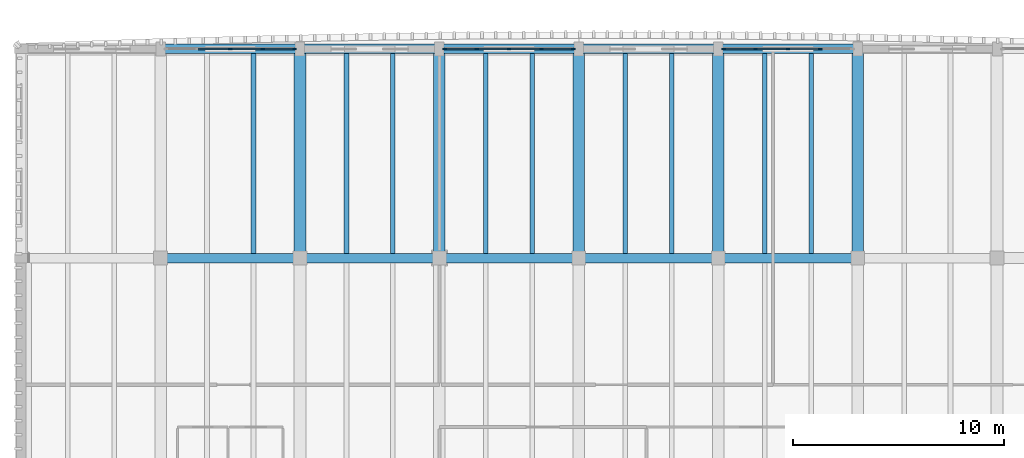
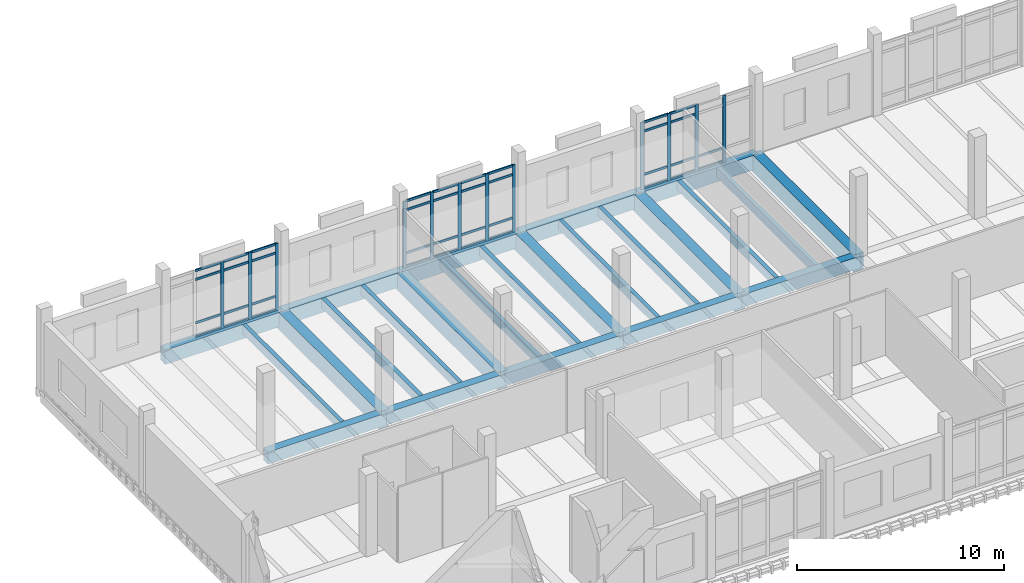
# One storey, part 11 of 39: 50 members, 24 beams, 3 elements without a shape of their own.
"""IFC4 building model written with IfcOpenShell, lengths in metres."""

from ifc_helpers import new_model, si_unit, direction, frame, origin, origin_2d, place, context, subcontext, project, spatial, rectangle, extrude, material, material_profile, profile_set, type_object, element, aggregate, save


model = new_model("IFC4")

# Units and contexts
model_context = context("Model", 3, precision=1e-05, world=origin(), true_north=direction((0.0, 1.0)))
body_context = subcontext(model_context, "Body", "Model", "MODEL_VIEW")
ifc_project = project(units=[si_unit("LENGTHUNIT", "METRE"), si_unit("AREAUNIT", "SQUARE_METRE"), si_unit("VOLUMEUNIT", "CUBIC_METRE"), si_unit("PLANEANGLEUNIT", "RADIAN"), si_unit("MASSUNIT", "GRAM", prefix="KILO")], contexts=[model_context])

# Site, building, storey
site_placement = place(None, origin())
site = spatial("IfcSite", under=ifc_project, at=site_placement, CompositionType="ELEMENT")
building_placement = place(site_placement, origin())
building = spatial("IfcBuilding", under=site, at=building_placement, Name="Dornvale Research Institute", CompositionType="ELEMENT")
storey_placement = place(building_placement, frame((0.0, 0.0, 24.60009765625)))
storey = spatial("IfcBuildingStorey", under=building, at=storey_placement, Name="L05", CompositionType="ELEMENT", Elevation=24.60009765625)

# Beams
ifc_material_1 = material(Name="Concrete f'c 45 MPa (C35/45)", Category="concrete")
ifc_material_profile_1 = material_profile(ifc_material_1, rectangle(XDim=0.449951171875, YDim=0.715087890625, at=origin_2d()), Name="RC 450x715")
ifc_profile_set_1 = profile_set([ifc_material_profile_1], Name="Concrete f'c 45 MPa (C35/45)")
beam_type_1 = type_object("IfcBeamType", Name="Beam_RC450x715_Lab", PredefinedType="BEAM", material=ifc_profile_set_1)
for number, where, z_axis, x_axis, name in (
    (1, (125.39990234375, 112.199951171875, -0.357666015625), (1.0, 0.0, 0.0), (0.0, 1.0, 0.0), "L05 primary girder #1398"),
    (2, (132.0, 112.199951171875, -0.357666015625), (1.0, 0.0, 0.0), (0.0, 1.0, 0.0), "L05 primary girder #1399"),
):
    element("IfcBeam", number, at=place(storey_placement, frame(where, z_axis=z_axis, x_axis=x_axis)), inside=storey, type_object=beam_type_1, Name=name, PredefinedType="BEAM", context=body_context, shape_type="SweptSolid", body=[
        extrude(rectangle(XDim=0.449951171875, YDim=0.715087890625, at=origin_2d()), origin(), (0.0, 0.0, 1.0), 6.60009765625),
    ])
beam_1_placement = place(storey_placement, frame((138.60009765625, 112.199951171875, -0.357666015625), z_axis=(1.0, 0.0, 0.0), x_axis=(0.0, 1.0, 0.0)))
element("IfcBeam", 3, at=beam_1_placement, inside=storey, type_object=beam_type_1, Name="L05 primary girder #1400", PredefinedType="BEAM", context=body_context, shape_type="SweptSolid", body=[
    extrude(rectangle(XDim=0.449951171875, YDim=0.715087890625, at=origin_2d()), origin(), (0.0, 0.0, 1.0), 6.599853515625),
])
beam_2_placement = place(storey_placement, frame((145.199951171875, 112.199951171875, -0.357666015625), z_axis=(1.0, 0.0, 0.0), x_axis=(0.0, 1.0, 0.0)))
element("IfcBeam", 4, at=beam_2_placement, inside=storey, type_object=beam_type_1, Name="L05 primary girder #1401", PredefinedType="BEAM", context=body_context, shape_type="SweptSolid", body=[
    extrude(rectangle(XDim=0.449951171875, YDim=0.715087890625, at=origin_2d()), origin(), (0.0, 0.0, 1.0), 6.60009765625),
])
beam_3_placement = place(storey_placement, frame((151.800048828125, 112.199951171875, -0.357666015625), z_axis=(1.0, 0.0, 0.0), x_axis=(0.0, 1.0, 0.0)))
element("IfcBeam", 5, at=beam_3_placement, inside=storey, type_object=beam_type_1, Name="L05 primary girder #1402", PredefinedType="BEAM", context=body_context, shape_type="SweptSolid", body=[
    extrude(rectangle(XDim=0.449951171875, YDim=0.715087890625, at=origin_2d()), origin(), (0.0, 0.0, 1.0), 6.599853515625),
])
ifc_material_2 = material(Name="Concrete f'c 45 MPa (C35/45)", Category="concrete")
ifc_material_profile_2 = material_profile(ifc_material_2, rectangle(XDim=0.550048828125, YDim=1.0, at=origin_2d()), Name="RC 550x1000")
ifc_profile_set_2 = profile_set([ifc_material_profile_2], Name="Concrete f'c 45 MPa (C35/45)")
beam_type_2 = type_object("IfcBeamType", Name="Beam_RC550x1000_Girder", PredefinedType="BEAM", material=ifc_profile_set_2)
for number, where, z_axis, x_axis, name in (
    (6, (132.0, 112.199951171875, -0.5), (0.0, 1.0, 0.0), (-1.0, 0.0, 0.0), "L05 transverse girder #1420"),
    (7, (138.60009765625, 112.199951171875, -0.5), (0.0, 1.0, 0.0), (-1.0, 0.0, 0.0), "L05 transverse girder #1423"),
    (8, (145.199951171875, 112.199951171875, -0.5), (0.0, 1.0, 0.0), (-1.0, 0.0, 0.0), "L05 transverse girder #1426"),
    (9, (151.800048828125, 112.199951171875, -0.5), (0.0, 1.0, 0.0), (-1.0, 0.0, 0.0), "L05 transverse girder #1429"),
    (10, (158.39990234375, 112.199951171875, -0.5), (0.0, 1.0, 0.0), (-1.0, 0.0, 0.0), "L05 transverse girder #1431"),
):
    element("IfcBeam", number, at=place(storey_placement, frame(where, z_axis=z_axis, x_axis=x_axis)), inside=storey, type_object=beam_type_2, Name=name, PredefinedType="BEAM", context=body_context, shape_type="SweptSolid", body=[
        extrude(rectangle(XDim=0.550048828125, YDim=1.0, at=origin_2d()), origin(), (0.0, 0.0, 1.0), 9.900146484375),
    ])
ifc_material_3 = material(Name="Concrete f'c 45 MPa (C35/45)", Category="concrete")
ifc_material_profile_3 = material_profile(ifc_material_3, rectangle(XDim=0.219970703125, YDim=0.534912109375, at=origin_2d()), Name="RC 220x535")
ifc_profile_set_3 = profile_set([ifc_material_profile_3], Name="Concrete f'c 45 MPa (C35/45)")
beam_type_3 = type_object("IfcBeamType", Name="Joist_RC220x535_Waffle", PredefinedType="JOIST", material=ifc_profile_set_3)
for number, where, z_axis, x_axis, name in (
    (11, (129.800048828125, 112.425048828125, -0.267578125), (0.0, 1.0, 0.0), (-1.0, 0.0, 0.0), "L05 laboratory waffle joist #665"),
    (12, (134.199951171875, 112.425048828125, -0.267578125), (0.0, 1.0, 0.0), (-1.0, 0.0, 0.0), "L05 laboratory waffle joist #668"),
    (13, (136.39990234375, 112.425048828125, -0.267578125), (0.0, 1.0, 0.0), (-1.0, 0.0, 0.0), "L05 laboratory waffle joist #669"),
    (14, (140.800048828125, 112.425048828125, -0.267578125), (0.0, 1.0, 0.0), (-1.0, 0.0, 0.0), "L05 laboratory waffle joist #674"),
    (15, (143.0, 112.425048828125, -0.267578125), (0.0, 1.0, 0.0), (-1.0, 0.0, 0.0), "L05 laboratory waffle joist #675"),
    (16, (147.39990234375, 112.425048828125, -0.267578125), (0.0, 1.0, 0.0), (-1.0, 0.0, 0.0), "L05 laboratory waffle joist #680"),
    (17, (149.60009765625, 112.425048828125, -0.267578125), (0.0, 1.0, 0.0), (-1.0, 0.0, 0.0), "L05 laboratory waffle joist #681"),
    (18, (154.0, 112.425048828125, -0.267578125), (0.0, 1.0, 0.0), (-1.0, 0.0, 0.0), "L05 laboratory waffle joist #684"),
    (19, (156.199951171875, 112.425048828125, -0.267578125), (0.0, 1.0, 0.0), (-1.0, 0.0, 0.0), "L05 laboratory waffle joist #685"),
):
    element("IfcBeam", number, at=place(storey_placement, frame(where, z_axis=z_axis, x_axis=x_axis)), inside=storey, type_object=beam_type_3, Name=name, PredefinedType="JOIST", context=body_context, shape_type="SweptSolid", body=[
        extrude(rectangle(XDim=0.219970703125, YDim=0.534912109375, at=origin_2d()), origin(), (0.0, 0.0, 1.0), 9.449951171875),
    ])

# Curtain wall, members
ifc_material_4 = material(Name="Low-E Argon Double Insulating Glazing Unit", Category="glass")
curtain_wall_type = type_object("IfcCurtainWallType", Name="UnitisedCurtainWall_V4_6150x3950", PredefinedType="USERDEFINED", material=ifc_material_4)
curtain_wall_1_placement = place(storey_placement, origin())
curtain_wall_1 = element("IfcCurtainWall", 20, at=curtain_wall_1_placement, inside=storey, type_object=curtain_wall_type, Name="L05 V4 unitised curtain wall CW-15 #109", ObjectType="UNITISED CURTAIN WALL", PredefinedType="USERDEFINED")
ifc_material_5 = material(Name="Anodized Aluminum AA 6063-T6 Thermally Broken Frame", Category="aluminium")
ifc_material_profile_4 = material_profile(ifc_material_5, rectangle(XDim=0.06494140625, YDim=0.179931640625, at=origin_2d()), Name="ALU MULLION 65x180")
ifc_profile_set_4 = profile_set([ifc_material_profile_4], Name="Anodized Aluminum AA 6063-T6 Thermally Broken Frame")
member_type_1 = type_object("IfcMemberType", Name="Mullion_CW_65x180", PredefinedType="MULLION", material=ifc_profile_set_4)
member_1_placement = place(storey_placement, frame((128.699951171875, 122.10009765625, 0.0), z_axis=(0.0, 0.0, 1.0), x_axis=(0.0, 1.0, 0.0)))
member_1 = element("IfcMember", 21, at=member_1_placement, type_object=member_type_1, Name="CW-15 mullion 3", PredefinedType="MULLION", context=body_context, shape_type="SweptSolid", body=[
    extrude(rectangle(XDim=0.06494140625, YDim=0.179931640625, at=origin_2d()), origin(), (0.0, 0.0, 1.0), 3.949951171875),
])
member_2_placement = place(storey_placement, frame((130.237548828125, 122.10009765625, 0.0), z_axis=(0.0, 0.0, 1.0), x_axis=(0.0, 1.0, 0.0)))
member_2 = element("IfcMember", 22, at=member_2_placement, type_object=member_type_1, Name="CW-15 mullion 4", PredefinedType="MULLION", context=body_context, shape_type="SweptSolid", body=[
    extrude(rectangle(XDim=0.06494140625, YDim=0.179931640625, at=origin_2d()), origin(), (0.0, 0.0, 1.0), 3.949951171875),
])
member_3_placement = place(storey_placement, frame((131.742431640625, 122.10009765625, 0.0), z_axis=(0.0, 0.0, 1.0), x_axis=(0.0, 1.0, 0.0)))
member_3 = element("IfcMember", 23, at=member_3_placement, type_object=member_type_1, Name="CW-15 mullion 5", PredefinedType="MULLION", context=body_context, shape_type="SweptSolid", body=[
    extrude(rectangle(XDim=0.06494140625, YDim=0.179931640625, at=origin_2d()), origin(), (0.0, 0.0, 1.0), 3.949951171875),
])

curtain_wall_2_placement = place(storey_placement, origin())
curtain_wall_2 = element("IfcCurtainWall", 24, at=curtain_wall_2_placement, inside=storey, type_object=curtain_wall_type, Name="L05 V4 unitised curtain wall CW-15 #110", ObjectType="UNITISED CURTAIN WALL", PredefinedType="USERDEFINED")
member_4_placement = place(storey_placement, frame((138.857421875, 122.10009765625, 0.0), z_axis=(0.0, 0.0, 1.0), x_axis=(0.0, 1.0, 0.0)))
member_4 = element("IfcMember", 25, at=member_4_placement, type_object=member_type_1, Name="CW-15 mullion 1", PredefinedType="MULLION", context=body_context, shape_type="SweptSolid", body=[
    extrude(rectangle(XDim=0.06494140625, YDim=0.179931640625, at=origin_2d()), origin(), (0.0, 0.0, 1.0), 3.949951171875),
])
member_5_placement = place(storey_placement, frame((140.362548828125, 122.10009765625, 0.0), z_axis=(0.0, 0.0, 1.0), x_axis=(0.0, 1.0, 0.0)))
member_5 = element("IfcMember", 26, at=member_5_placement, type_object=member_type_1, Name="CW-15 mullion 2", PredefinedType="MULLION", context=body_context, shape_type="SweptSolid", body=[
    extrude(rectangle(XDim=0.06494140625, YDim=0.179931640625, at=origin_2d()), origin(), (0.0, 0.0, 1.0), 3.949951171875),
])
member_6_placement = place(storey_placement, frame((141.89990234375, 122.10009765625, 0.0), z_axis=(0.0, 0.0, 1.0), x_axis=(0.0, 1.0, 0.0)))
member_6 = element("IfcMember", 27, at=member_6_placement, type_object=member_type_1, Name="CW-15 mullion 3", PredefinedType="MULLION", context=body_context, shape_type="SweptSolid", body=[
    extrude(rectangle(XDim=0.06494140625, YDim=0.179931640625, at=origin_2d()), origin(), (0.0, 0.0, 1.0), 3.949951171875),
])
member_7_placement = place(storey_placement, frame((143.4375, 122.10009765625, 0.0), z_axis=(0.0, 0.0, 1.0), x_axis=(0.0, 1.0, 0.0)))
member_7 = element("IfcMember", 28, at=member_7_placement, type_object=member_type_1, Name="CW-15 mullion 4", PredefinedType="MULLION", context=body_context, shape_type="SweptSolid", body=[
    extrude(rectangle(XDim=0.06494140625, YDim=0.179931640625, at=origin_2d()), origin(), (0.0, 0.0, 1.0), 3.949951171875),
])
member_8_placement = place(storey_placement, frame((144.9423828125, 122.10009765625, 0.0), z_axis=(0.0, 0.0, 1.0), x_axis=(0.0, 1.0, 0.0)))
member_8 = element("IfcMember", 29, at=member_8_placement, type_object=member_type_1, Name="CW-15 mullion 5", PredefinedType="MULLION", context=body_context, shape_type="SweptSolid", body=[
    extrude(rectangle(XDim=0.06494140625, YDim=0.179931640625, at=origin_2d()), origin(), (0.0, 0.0, 1.0), 3.949951171875),
])

curtain_wall_3_placement = place(storey_placement, origin())
curtain_wall_3 = element("IfcCurtainWall", 30, at=curtain_wall_3_placement, inside=storey, type_object=curtain_wall_type, Name="L05 V4 unitised curtain wall CW-15 #111", ObjectType="UNITISED CURTAIN WALL", PredefinedType="USERDEFINED")
member_9_placement = place(storey_placement, frame((152.0576171875, 122.10009765625, 0.0), z_axis=(0.0, 0.0, 1.0), x_axis=(0.0, 1.0, 0.0)))
member_9 = element("IfcMember", 31, at=member_9_placement, type_object=member_type_1, Name="CW-15 mullion 1", PredefinedType="MULLION", context=body_context, shape_type="SweptSolid", body=[
    extrude(rectangle(XDim=0.06494140625, YDim=0.179931640625, at=origin_2d()), origin(), (0.0, 0.0, 1.0), 3.949951171875),
])
member_10_placement = place(storey_placement, frame((153.5625, 122.10009765625, 0.0), z_axis=(0.0, 0.0, 1.0), x_axis=(0.0, 1.0, 0.0)))
member_10 = element("IfcMember", 32, at=member_10_placement, type_object=member_type_1, Name="CW-15 mullion 2", PredefinedType="MULLION", context=body_context, shape_type="SweptSolid", body=[
    extrude(rectangle(XDim=0.06494140625, YDim=0.179931640625, at=origin_2d()), origin(), (0.0, 0.0, 1.0), 3.949951171875),
])
member_11_placement = place(storey_placement, frame((155.10009765625, 122.10009765625, 0.0), z_axis=(0.0, 0.0, 1.0), x_axis=(0.0, 1.0, 0.0)))
member_11 = element("IfcMember", 33, at=member_11_placement, type_object=member_type_1, Name="CW-15 mullion 3", PredefinedType="MULLION", context=body_context, shape_type="SweptSolid", body=[
    extrude(rectangle(XDim=0.06494140625, YDim=0.179931640625, at=origin_2d()), origin(), (0.0, 0.0, 1.0), 3.949951171875),
])
member_12_placement = place(storey_placement, frame((156.637451171875, 122.10009765625, 0.0), z_axis=(0.0, 0.0, 1.0), x_axis=(0.0, 1.0, 0.0)))
member_12 = element("IfcMember", 34, at=member_12_placement, type_object=member_type_1, Name="CW-15 mullion 4", PredefinedType="MULLION", context=body_context, shape_type="SweptSolid", body=[
    extrude(rectangle(XDim=0.06494140625, YDim=0.179931640625, at=origin_2d()), origin(), (0.0, 0.0, 1.0), 3.949951171875),
])

# Beams
ifc_material_6 = material(Name="Concrete f'c 45 MPa (C35/45)", Category="concrete")
ifc_material_profile_5 = material_profile(ifc_material_6, rectangle(XDim=0.449951171875, YDim=0.85009765625, at=origin_2d()), Name="RC 450x850")
ifc_profile_set_5 = profile_set([ifc_material_profile_5], Name="Concrete f'c 45 MPa (C35/45)")
beam_type_4 = type_object("IfcBeamType", Name="Spandrel_RC450x850_Ext", PredefinedType="SPANDREL", material=ifc_profile_set_5)
for number, where, z_axis, x_axis, name in (
    (35, (125.39990234375, 122.10009765625, -0.425048828125), (1.0, 0.0, 0.0), (0.0, 1.0, 0.0), "L05 perimeter spandrel #1406"),
    (36, (132.0, 122.10009765625, -0.425048828125), (1.0, 0.0, 0.0), (0.0, 1.0, 0.0), "L05 perimeter spandrel #1407"),
):
    element("IfcBeam", number, at=place(storey_placement, frame(where, z_axis=z_axis, x_axis=x_axis)), inside=storey, type_object=beam_type_4, Name=name, PredefinedType="SPANDREL", context=body_context, shape_type="SweptSolid", body=[
        extrude(rectangle(XDim=0.449951171875, YDim=0.85009765625, at=origin_2d()), origin(), (0.0, 0.0, 1.0), 6.60009765625),
    ])
beam_4_placement = place(storey_placement, frame((138.60009765625, 122.10009765625, -0.425048828125), z_axis=(1.0, 0.0, 0.0), x_axis=(0.0, 1.0, 0.0)))
element("IfcBeam", 37, at=beam_4_placement, inside=storey, type_object=beam_type_4, Name="L05 perimeter spandrel #1408", PredefinedType="SPANDREL", context=body_context, shape_type="SweptSolid", body=[
    extrude(rectangle(XDim=0.449951171875, YDim=0.85009765625, at=origin_2d()), origin(), (0.0, 0.0, 1.0), 6.599853515625),
])
beam_5_placement = place(storey_placement, frame((145.199951171875, 122.10009765625, -0.425048828125), z_axis=(1.0, 0.0, 0.0), x_axis=(0.0, 1.0, 0.0)))
element("IfcBeam", 38, at=beam_5_placement, inside=storey, type_object=beam_type_4, Name="L05 perimeter spandrel #1409", PredefinedType="SPANDREL", context=body_context, shape_type="SweptSolid", body=[
    extrude(rectangle(XDim=0.449951171875, YDim=0.85009765625, at=origin_2d()), origin(), (0.0, 0.0, 1.0), 6.60009765625),
])
beam_6_placement = place(storey_placement, frame((151.800048828125, 122.10009765625, -0.425048828125), z_axis=(1.0, 0.0, 0.0), x_axis=(0.0, 1.0, 0.0)))
element("IfcBeam", 39, at=beam_6_placement, inside=storey, type_object=beam_type_4, Name="L05 perimeter spandrel #1410", PredefinedType="SPANDREL", context=body_context, shape_type="SweptSolid", body=[
    extrude(rectangle(XDim=0.449951171875, YDim=0.85009765625, at=origin_2d()), origin(), (0.0, 0.0, 1.0), 6.599853515625),
])

# Member
ifc_material_7 = material(Name="Anodized Aluminum AA 6063-T6 Thermally Broken Frame", Category="aluminium")
ifc_material_profile_6 = material_profile(ifc_material_7, rectangle(XDim=0.06494140625, YDim=0.135009765625, at=origin_2d()), Name="ALU TRANSOM 65x135")
ifc_profile_set_6 = profile_set([ifc_material_profile_6], Name="Anodized Aluminum AA 6063-T6 Thermally Broken Frame")
member_type_2 = type_object("IfcMemberType", Name="Transom_CW_65x135", PredefinedType="USERDEFINED", material=ifc_profile_set_6)
member_13_placement = place(storey_placement, frame((127.195068359375, 122.10009765625, 0.032470703125), z_axis=(1.0, 0.0, 0.0), x_axis=(0.0, 1.0, 0.0)))
member_13 = element("IfcMember", 40, at=member_13_placement, type_object=member_type_2, Name="CW-15 transom 2.1", ObjectType="TRANSOM", PredefinedType="USERDEFINED", context=body_context, shape_type="SweptSolid", body=[
    extrude(rectangle(XDim=0.06494140625, YDim=0.135009765625, at=origin_2d()), origin(), (0.0, 0.0, 1.0), 1.472412109375),
])

member_14_placement = place(storey_placement, frame((127.195068359375, 122.10009765625, 0.849853515625), z_axis=(1.0, 0.0, 0.0), x_axis=(0.0, 1.0, 0.0)))
member_14 = element("IfcMember", 41, at=member_14_placement, type_object=member_type_2, Name="CW-15 transom 2.2", ObjectType="TRANSOM", PredefinedType="USERDEFINED", context=body_context, shape_type="SweptSolid", body=[
    extrude(rectangle(XDim=0.06494140625, YDim=0.135009765625, at=origin_2d()), origin(), (0.0, 0.0, 1.0), 1.472412109375),
])

member_15_placement = place(storey_placement, frame((127.195068359375, 122.10009765625, 3.39990234375), z_axis=(1.0, 0.0, 0.0), x_axis=(0.0, 1.0, 0.0)))
member_15 = element("IfcMember", 42, at=member_15_placement, type_object=member_type_2, Name="CW-15 transom 2.3", ObjectType="TRANSOM", PredefinedType="USERDEFINED", context=body_context, shape_type="SweptSolid", body=[
    extrude(rectangle(XDim=0.06494140625, YDim=0.135009765625, at=origin_2d()), origin(), (0.0, 0.0, 1.0), 1.472412109375),
])

member_16_placement = place(storey_placement, frame((127.195068359375, 122.10009765625, 3.91748046875), z_axis=(1.0, 0.0, 0.0), x_axis=(0.0, 1.0, 0.0)))
member_16 = element("IfcMember", 43, at=member_16_placement, type_object=member_type_2, Name="CW-15 transom 2.4", ObjectType="TRANSOM", PredefinedType="USERDEFINED", context=body_context, shape_type="SweptSolid", body=[
    extrude(rectangle(XDim=0.06494140625, YDim=0.135009765625, at=origin_2d()), origin(), (0.0, 0.0, 1.0), 1.472412109375),
])

member_17_placement = place(storey_placement, frame((128.732421875, 122.10009765625, 0.032470703125), z_axis=(1.0, 0.0, 0.0), x_axis=(0.0, 1.0, 0.0)))
member_17 = element("IfcMember", 44, at=member_17_placement, type_object=member_type_2, Name="CW-15 transom 3.1", ObjectType="TRANSOM", PredefinedType="USERDEFINED", context=body_context, shape_type="SweptSolid", body=[
    extrude(rectangle(XDim=0.06494140625, YDim=0.135009765625, at=origin_2d()), origin(), (0.0, 0.0, 1.0), 1.47265625),
])

member_18_placement = place(storey_placement, frame((128.732421875, 122.10009765625, 0.849853515625), z_axis=(1.0, 0.0, 0.0), x_axis=(0.0, 1.0, 0.0)))
member_18 = element("IfcMember", 45, at=member_18_placement, type_object=member_type_2, Name="CW-15 transom 3.2", ObjectType="TRANSOM", PredefinedType="USERDEFINED", context=body_context, shape_type="SweptSolid", body=[
    extrude(rectangle(XDim=0.06494140625, YDim=0.135009765625, at=origin_2d()), origin(), (0.0, 0.0, 1.0), 1.47265625),
])

member_19_placement = place(storey_placement, frame((128.732421875, 122.10009765625, 3.39990234375), z_axis=(1.0, 0.0, 0.0), x_axis=(0.0, 1.0, 0.0)))
member_19 = element("IfcMember", 46, at=member_19_placement, type_object=member_type_2, Name="CW-15 transom 3.3", ObjectType="TRANSOM", PredefinedType="USERDEFINED", context=body_context, shape_type="SweptSolid", body=[
    extrude(rectangle(XDim=0.06494140625, YDim=0.135009765625, at=origin_2d()), origin(), (0.0, 0.0, 1.0), 1.47265625),
])

member_20_placement = place(storey_placement, frame((128.732421875, 122.10009765625, 3.91748046875), z_axis=(1.0, 0.0, 0.0), x_axis=(0.0, 1.0, 0.0)))
member_20 = element("IfcMember", 47, at=member_20_placement, type_object=member_type_2, Name="CW-15 transom 3.4", ObjectType="TRANSOM", PredefinedType="USERDEFINED", context=body_context, shape_type="SweptSolid", body=[
    extrude(rectangle(XDim=0.06494140625, YDim=0.135009765625, at=origin_2d()), origin(), (0.0, 0.0, 1.0), 1.47265625),
])

member_21_placement = place(storey_placement, frame((130.27001953125, 122.10009765625, 0.032470703125), z_axis=(1.0, 0.0, 0.0), x_axis=(0.0, 1.0, 0.0)))
member_21 = element("IfcMember", 48, at=member_21_placement, type_object=member_type_2, Name="CW-15 transom 4.1", ObjectType="TRANSOM", PredefinedType="USERDEFINED", context=body_context, shape_type="SweptSolid", body=[
    extrude(rectangle(XDim=0.06494140625, YDim=0.135009765625, at=origin_2d()), origin(), (0.0, 0.0, 1.0), 1.43994140625),
])

member_22_placement = place(storey_placement, frame((130.27001953125, 122.10009765625, 0.849853515625), z_axis=(1.0, 0.0, 0.0), x_axis=(0.0, 1.0, 0.0)))
member_22 = element("IfcMember", 49, at=member_22_placement, type_object=member_type_2, Name="CW-15 transom 4.2", ObjectType="TRANSOM", PredefinedType="USERDEFINED", context=body_context, shape_type="SweptSolid", body=[
    extrude(rectangle(XDim=0.06494140625, YDim=0.135009765625, at=origin_2d()), origin(), (0.0, 0.0, 1.0), 1.43994140625),
])

member_23_placement = place(storey_placement, frame((130.27001953125, 122.10009765625, 3.39990234375), z_axis=(1.0, 0.0, 0.0), x_axis=(0.0, 1.0, 0.0)))
member_23 = element("IfcMember", 50, at=member_23_placement, type_object=member_type_2, Name="CW-15 transom 4.3", ObjectType="TRANSOM", PredefinedType="USERDEFINED", context=body_context, shape_type="SweptSolid", body=[
    extrude(rectangle(XDim=0.06494140625, YDim=0.135009765625, at=origin_2d()), origin(), (0.0, 0.0, 1.0), 1.43994140625),
])

member_24_placement = place(storey_placement, frame((130.27001953125, 122.10009765625, 3.91748046875), z_axis=(1.0, 0.0, 0.0), x_axis=(0.0, 1.0, 0.0)))
member_24 = element("IfcMember", 51, at=member_24_placement, type_object=member_type_2, Name="CW-15 transom 4.4", ObjectType="TRANSOM", PredefinedType="USERDEFINED", context=body_context, shape_type="SweptSolid", body=[
    extrude(rectangle(XDim=0.06494140625, YDim=0.135009765625, at=origin_2d()), origin(), (0.0, 0.0, 1.0), 1.43994140625),
])

aggregate(curtain_wall_1, [member_1, member_2, member_3, member_13, member_14, member_15, member_16, member_17, member_18, member_19, member_20, member_21, member_22, member_23, member_24])

member_25_placement = place(storey_placement, frame((138.889892578125, 122.10009765625, 0.032470703125), z_axis=(1.0, 0.0, 0.0), x_axis=(0.0, 1.0, 0.0)))
member_25 = element("IfcMember", 52, at=member_25_placement, type_object=member_type_2, Name="CW-15 transom 1.1", ObjectType="TRANSOM", PredefinedType="USERDEFINED", context=body_context, shape_type="SweptSolid", body=[
    extrude(rectangle(XDim=0.06494140625, YDim=0.135009765625, at=origin_2d()), origin(), (0.0, 0.0, 1.0), 1.440185546875),
])

member_26_placement = place(storey_placement, frame((138.889892578125, 122.10009765625, 0.849853515625), z_axis=(1.0, 0.0, 0.0), x_axis=(0.0, 1.0, 0.0)))
member_26 = element("IfcMember", 53, at=member_26_placement, type_object=member_type_2, Name="CW-15 transom 1.2", ObjectType="TRANSOM", PredefinedType="USERDEFINED", context=body_context, shape_type="SweptSolid", body=[
    extrude(rectangle(XDim=0.06494140625, YDim=0.135009765625, at=origin_2d()), origin(), (0.0, 0.0, 1.0), 1.440185546875),
])

member_27_placement = place(storey_placement, frame((138.889892578125, 122.10009765625, 3.39990234375), z_axis=(1.0, 0.0, 0.0), x_axis=(0.0, 1.0, 0.0)))
member_27 = element("IfcMember", 54, at=member_27_placement, type_object=member_type_2, Name="CW-15 transom 1.3", ObjectType="TRANSOM", PredefinedType="USERDEFINED", context=body_context, shape_type="SweptSolid", body=[
    extrude(rectangle(XDim=0.06494140625, YDim=0.135009765625, at=origin_2d()), origin(), (0.0, 0.0, 1.0), 1.440185546875),
])

member_28_placement = place(storey_placement, frame((138.889892578125, 122.10009765625, 3.91748046875), z_axis=(1.0, 0.0, 0.0), x_axis=(0.0, 1.0, 0.0)))
member_28 = element("IfcMember", 55, at=member_28_placement, type_object=member_type_2, Name="CW-15 transom 1.4", ObjectType="TRANSOM", PredefinedType="USERDEFINED", context=body_context, shape_type="SweptSolid", body=[
    extrude(rectangle(XDim=0.06494140625, YDim=0.135009765625, at=origin_2d()), origin(), (0.0, 0.0, 1.0), 1.440185546875),
])

member_29_placement = place(storey_placement, frame((140.39501953125, 122.10009765625, 0.032470703125), z_axis=(1.0, 0.0, 0.0), x_axis=(0.0, 1.0, 0.0)))
member_29 = element("IfcMember", 56, at=member_29_placement, type_object=member_type_2, Name="CW-15 transom 2.1", ObjectType="TRANSOM", PredefinedType="USERDEFINED", context=body_context, shape_type="SweptSolid", body=[
    extrude(rectangle(XDim=0.06494140625, YDim=0.135009765625, at=origin_2d()), origin(), (0.0, 0.0, 1.0), 1.472412109375),
])

member_30_placement = place(storey_placement, frame((140.39501953125, 122.10009765625, 0.849853515625), z_axis=(1.0, 0.0, 0.0), x_axis=(0.0, 1.0, 0.0)))
member_30 = element("IfcMember", 57, at=member_30_placement, type_object=member_type_2, Name="CW-15 transom 2.2", ObjectType="TRANSOM", PredefinedType="USERDEFINED", context=body_context, shape_type="SweptSolid", body=[
    extrude(rectangle(XDim=0.06494140625, YDim=0.135009765625, at=origin_2d()), origin(), (0.0, 0.0, 1.0), 1.472412109375),
])

member_31_placement = place(storey_placement, frame((140.39501953125, 122.10009765625, 3.39990234375), z_axis=(1.0, 0.0, 0.0), x_axis=(0.0, 1.0, 0.0)))
member_31 = element("IfcMember", 58, at=member_31_placement, type_object=member_type_2, Name="CW-15 transom 2.3", ObjectType="TRANSOM", PredefinedType="USERDEFINED", context=body_context, shape_type="SweptSolid", body=[
    extrude(rectangle(XDim=0.06494140625, YDim=0.135009765625, at=origin_2d()), origin(), (0.0, 0.0, 1.0), 1.472412109375),
])

member_32_placement = place(storey_placement, frame((140.39501953125, 122.10009765625, 3.91748046875), z_axis=(1.0, 0.0, 0.0), x_axis=(0.0, 1.0, 0.0)))
member_32 = element("IfcMember", 59, at=member_32_placement, type_object=member_type_2, Name="CW-15 transom 2.4", ObjectType="TRANSOM", PredefinedType="USERDEFINED", context=body_context, shape_type="SweptSolid", body=[
    extrude(rectangle(XDim=0.06494140625, YDim=0.135009765625, at=origin_2d()), origin(), (0.0, 0.0, 1.0), 1.472412109375),
])

member_33_placement = place(storey_placement, frame((141.9326171875, 122.10009765625, 0.032470703125), z_axis=(1.0, 0.0, 0.0), x_axis=(0.0, 1.0, 0.0)))
member_33 = element("IfcMember", 60, at=member_33_placement, type_object=member_type_2, Name="CW-15 transom 3.1", ObjectType="TRANSOM", PredefinedType="USERDEFINED", context=body_context, shape_type="SweptSolid", body=[
    extrude(rectangle(XDim=0.06494140625, YDim=0.135009765625, at=origin_2d()), origin(), (0.0, 0.0, 1.0), 1.472412109375),
])

member_34_placement = place(storey_placement, frame((141.9326171875, 122.10009765625, 0.849853515625), z_axis=(1.0, 0.0, 0.0), x_axis=(0.0, 1.0, 0.0)))
member_34 = element("IfcMember", 61, at=member_34_placement, type_object=member_type_2, Name="CW-15 transom 3.2", ObjectType="TRANSOM", PredefinedType="USERDEFINED", context=body_context, shape_type="SweptSolid", body=[
    extrude(rectangle(XDim=0.06494140625, YDim=0.135009765625, at=origin_2d()), origin(), (0.0, 0.0, 1.0), 1.472412109375),
])

member_35_placement = place(storey_placement, frame((141.9326171875, 122.10009765625, 3.39990234375), z_axis=(1.0, 0.0, 0.0), x_axis=(0.0, 1.0, 0.0)))
member_35 = element("IfcMember", 62, at=member_35_placement, type_object=member_type_2, Name="CW-15 transom 3.3", ObjectType="TRANSOM", PredefinedType="USERDEFINED", context=body_context, shape_type="SweptSolid", body=[
    extrude(rectangle(XDim=0.06494140625, YDim=0.135009765625, at=origin_2d()), origin(), (0.0, 0.0, 1.0), 1.472412109375),
])

member_36_placement = place(storey_placement, frame((141.9326171875, 122.10009765625, 3.91748046875), z_axis=(1.0, 0.0, 0.0), x_axis=(0.0, 1.0, 0.0)))
member_36 = element("IfcMember", 63, at=member_36_placement, type_object=member_type_2, Name="CW-15 transom 3.4", ObjectType="TRANSOM", PredefinedType="USERDEFINED", context=body_context, shape_type="SweptSolid", body=[
    extrude(rectangle(XDim=0.06494140625, YDim=0.135009765625, at=origin_2d()), origin(), (0.0, 0.0, 1.0), 1.472412109375),
])

member_37_placement = place(storey_placement, frame((143.469970703125, 122.10009765625, 0.032470703125), z_axis=(1.0, 0.0, 0.0), x_axis=(0.0, 1.0, 0.0)))
member_37 = element("IfcMember", 64, at=member_37_placement, type_object=member_type_2, Name="CW-15 transom 4.1", ObjectType="TRANSOM", PredefinedType="USERDEFINED", context=body_context, shape_type="SweptSolid", body=[
    extrude(rectangle(XDim=0.06494140625, YDim=0.135009765625, at=origin_2d()), origin(), (0.0, 0.0, 1.0), 1.43994140625),
])

member_38_placement = place(storey_placement, frame((143.469970703125, 122.10009765625, 0.849853515625), z_axis=(1.0, 0.0, 0.0), x_axis=(0.0, 1.0, 0.0)))
member_38 = element("IfcMember", 65, at=member_38_placement, type_object=member_type_2, Name="CW-15 transom 4.2", ObjectType="TRANSOM", PredefinedType="USERDEFINED", context=body_context, shape_type="SweptSolid", body=[
    extrude(rectangle(XDim=0.06494140625, YDim=0.135009765625, at=origin_2d()), origin(), (0.0, 0.0, 1.0), 1.43994140625),
])

member_39_placement = place(storey_placement, frame((143.469970703125, 122.10009765625, 3.39990234375), z_axis=(1.0, 0.0, 0.0), x_axis=(0.0, 1.0, 0.0)))
member_39 = element("IfcMember", 66, at=member_39_placement, type_object=member_type_2, Name="CW-15 transom 4.3", ObjectType="TRANSOM", PredefinedType="USERDEFINED", context=body_context, shape_type="SweptSolid", body=[
    extrude(rectangle(XDim=0.06494140625, YDim=0.135009765625, at=origin_2d()), origin(), (0.0, 0.0, 1.0), 1.43994140625),
])

member_40_placement = place(storey_placement, frame((143.469970703125, 122.10009765625, 3.91748046875), z_axis=(1.0, 0.0, 0.0), x_axis=(0.0, 1.0, 0.0)))
member_40 = element("IfcMember", 67, at=member_40_placement, type_object=member_type_2, Name="CW-15 transom 4.4", ObjectType="TRANSOM", PredefinedType="USERDEFINED", context=body_context, shape_type="SweptSolid", body=[
    extrude(rectangle(XDim=0.06494140625, YDim=0.135009765625, at=origin_2d()), origin(), (0.0, 0.0, 1.0), 1.43994140625),
])

aggregate(curtain_wall_2, [member_4, member_5, member_6, member_7, member_8, member_25, member_26, member_27, member_28, member_29, member_30, member_31, member_32, member_33, member_34, member_35, member_36, member_37, member_38, member_39, member_40])

member_41_placement = place(storey_placement, frame((152.090087890625, 122.10009765625, 0.032470703125), z_axis=(1.0, 0.0, 0.0), x_axis=(0.0, 1.0, 0.0)))
member_41 = element("IfcMember", 68, at=member_41_placement, type_object=member_type_2, Name="CW-15 transom 1.1", ObjectType="TRANSOM", PredefinedType="USERDEFINED", context=body_context, shape_type="SweptSolid", body=[
    extrude(rectangle(XDim=0.06494140625, YDim=0.135009765625, at=origin_2d()), origin(), (0.0, 0.0, 1.0), 1.43994140625),
])

member_42_placement = place(storey_placement, frame((152.090087890625, 122.10009765625, 0.849853515625), z_axis=(1.0, 0.0, 0.0), x_axis=(0.0, 1.0, 0.0)))
member_42 = element("IfcMember", 69, at=member_42_placement, type_object=member_type_2, Name="CW-15 transom 1.2", ObjectType="TRANSOM", PredefinedType="USERDEFINED", context=body_context, shape_type="SweptSolid", body=[
    extrude(rectangle(XDim=0.06494140625, YDim=0.135009765625, at=origin_2d()), origin(), (0.0, 0.0, 1.0), 1.43994140625),
])

member_43_placement = place(storey_placement, frame((152.090087890625, 122.10009765625, 3.39990234375), z_axis=(1.0, 0.0, 0.0), x_axis=(0.0, 1.0, 0.0)))
member_43 = element("IfcMember", 70, at=member_43_placement, type_object=member_type_2, Name="CW-15 transom 1.3", ObjectType="TRANSOM", PredefinedType="USERDEFINED", context=body_context, shape_type="SweptSolid", body=[
    extrude(rectangle(XDim=0.06494140625, YDim=0.135009765625, at=origin_2d()), origin(), (0.0, 0.0, 1.0), 1.43994140625),
])

member_44_placement = place(storey_placement, frame((152.090087890625, 122.10009765625, 3.91748046875), z_axis=(1.0, 0.0, 0.0), x_axis=(0.0, 1.0, 0.0)))
member_44 = element("IfcMember", 71, at=member_44_placement, type_object=member_type_2, Name="CW-15 transom 1.4", ObjectType="TRANSOM", PredefinedType="USERDEFINED", context=body_context, shape_type="SweptSolid", body=[
    extrude(rectangle(XDim=0.06494140625, YDim=0.135009765625, at=origin_2d()), origin(), (0.0, 0.0, 1.0), 1.43994140625),
])

member_45_placement = place(storey_placement, frame((153.594970703125, 122.10009765625, 0.032470703125), z_axis=(1.0, 0.0, 0.0), x_axis=(0.0, 1.0, 0.0)))
member_45 = element("IfcMember", 72, at=member_45_placement, type_object=member_type_2, Name="CW-15 transom 2.1", ObjectType="TRANSOM", PredefinedType="USERDEFINED", context=body_context, shape_type="SweptSolid", body=[
    extrude(rectangle(XDim=0.06494140625, YDim=0.135009765625, at=origin_2d()), origin(), (0.0, 0.0, 1.0), 1.472412109375),
])

member_46_placement = place(storey_placement, frame((153.594970703125, 122.10009765625, 0.849853515625), z_axis=(1.0, 0.0, 0.0), x_axis=(0.0, 1.0, 0.0)))
member_46 = element("IfcMember", 73, at=member_46_placement, type_object=member_type_2, Name="CW-15 transom 2.2", ObjectType="TRANSOM", PredefinedType="USERDEFINED", context=body_context, shape_type="SweptSolid", body=[
    extrude(rectangle(XDim=0.06494140625, YDim=0.135009765625, at=origin_2d()), origin(), (0.0, 0.0, 1.0), 1.472412109375),
])

member_47_placement = place(storey_placement, frame((153.594970703125, 122.10009765625, 3.39990234375), z_axis=(1.0, 0.0, 0.0), x_axis=(0.0, 1.0, 0.0)))
member_47 = element("IfcMember", 74, at=member_47_placement, type_object=member_type_2, Name="CW-15 transom 2.3", ObjectType="TRANSOM", PredefinedType="USERDEFINED", context=body_context, shape_type="SweptSolid", body=[
    extrude(rectangle(XDim=0.06494140625, YDim=0.135009765625, at=origin_2d()), origin(), (0.0, 0.0, 1.0), 1.472412109375),
])

member_48_placement = place(storey_placement, frame((153.594970703125, 122.10009765625, 3.91748046875), z_axis=(1.0, 0.0, 0.0), x_axis=(0.0, 1.0, 0.0)))
member_48 = element("IfcMember", 75, at=member_48_placement, type_object=member_type_2, Name="CW-15 transom 2.4", ObjectType="TRANSOM", PredefinedType="USERDEFINED", context=body_context, shape_type="SweptSolid", body=[
    extrude(rectangle(XDim=0.06494140625, YDim=0.135009765625, at=origin_2d()), origin(), (0.0, 0.0, 1.0), 1.472412109375),
])

member_49_placement = place(storey_placement, frame((155.132568359375, 122.10009765625, 0.032470703125), z_axis=(1.0, 0.0, 0.0), x_axis=(0.0, 1.0, 0.0)))
member_49 = element("IfcMember", 76, at=member_49_placement, type_object=member_type_2, Name="CW-15 transom 3.1", ObjectType="TRANSOM", PredefinedType="USERDEFINED", context=body_context, shape_type="SweptSolid", body=[
    extrude(rectangle(XDim=0.06494140625, YDim=0.135009765625, at=origin_2d()), origin(), (0.0, 0.0, 1.0), 1.472412109375),
])

member_50_placement = place(storey_placement, frame((155.132568359375, 122.10009765625, 0.849853515625), z_axis=(1.0, 0.0, 0.0), x_axis=(0.0, 1.0, 0.0)))
member_50 = element("IfcMember", 77, at=member_50_placement, type_object=member_type_2, Name="CW-15 transom 3.2", ObjectType="TRANSOM", PredefinedType="USERDEFINED", context=body_context, shape_type="SweptSolid", body=[
    extrude(rectangle(XDim=0.06494140625, YDim=0.135009765625, at=origin_2d()), origin(), (0.0, 0.0, 1.0), 1.472412109375),
])

aggregate(curtain_wall_3, [member_9, member_10, member_11, member_12, member_41, member_42, member_43, member_44, member_45, member_46, member_47, member_48, member_49, member_50])

save(model, "model.ifc")
